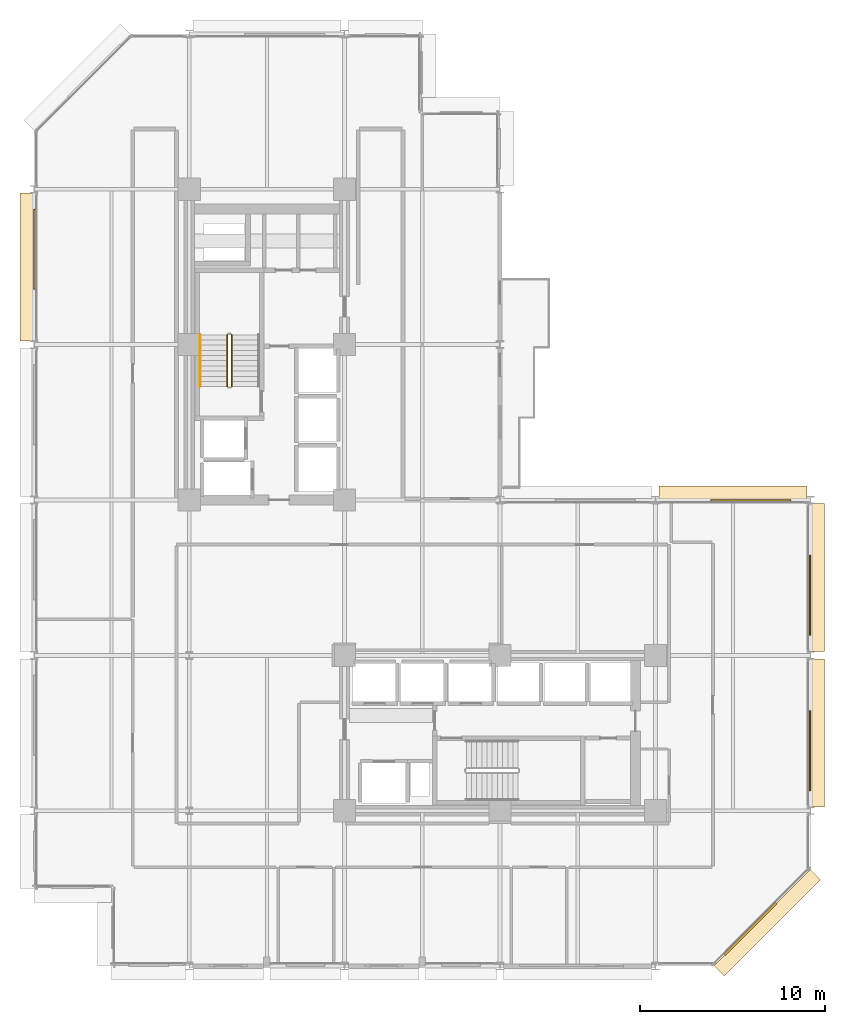
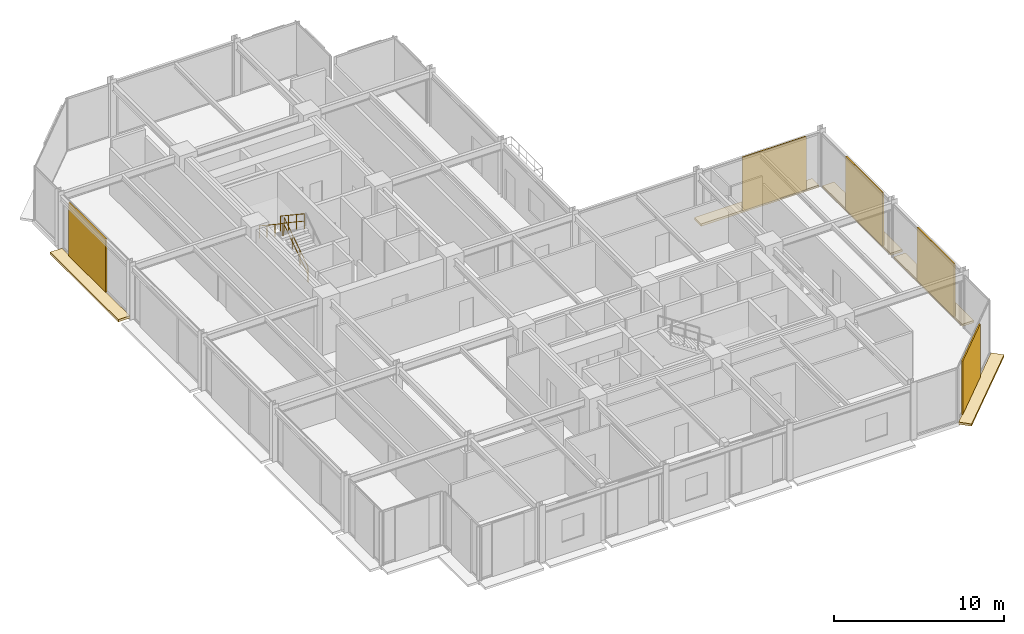
# One storey, part 29 of 30: 10 coverings, 3 railings.
"""IFC4 building model written with IfcOpenShell, lengths in metres."""

from ifc_helpers import new_model, si_unit, direction, frame, origin, origin_2d, place, context, subcontext, project, spatial, polyline, rectangle, circle, outline, extrude, material, layer, layer_set, type_object, element, save


model = new_model("IFC4")

# Units and contexts
model_context = context("Model", 3, precision=1e-05, world=origin(), true_north=direction((0.0, 1.0)))
body_context = subcontext(model_context, "Body", "Model", "MODEL_VIEW")
ifc_project = project(units=[si_unit("LENGTHUNIT", "METRE"), si_unit("AREAUNIT", "SQUARE_METRE"), si_unit("VOLUMEUNIT", "CUBIC_METRE"), si_unit("PLANEANGLEUNIT", "RADIAN"), si_unit("MASSUNIT", "GRAM", prefix="KILO")], contexts=[model_context])

# Site, building, storey
site_placement = place(None, origin())
site = spatial("IfcSite", under=ifc_project, at=site_placement, CompositionType="ELEMENT")
building_placement = place(site_placement, origin())
building = spatial("IfcBuilding", under=site, at=building_placement, Name="Nerrivon Quay Data Exchange", CompositionType="ELEMENT")
storey_placement = place(building_placement, frame((0.0, 0.0, 117.199951171875)))
storey = spatial("IfcBuildingStorey", under=building, at=storey_placement, Name="L27", CompositionType="ELEMENT", Elevation=117.199951171875)

# Coverings
ifc_material_1 = material(Name="Architectural terracotta ceramic", Category="masonry")
ifc_layer_1 = layer(ifc_material_1, 0.159912109375)
ifc_layer_set_1 = layer_set([ifc_layer_1], Name="Architectural terracotta ceramic")
covering_type_1 = type_object("IfcCoveringType", Name="COV-BLD-TERR", PredefinedType="CLADDING", material=ifc_layer_set_1)
covering_1_placement = place(storey_placement, frame((0.0, 0.0, -0.159912109375)))
element("IfcCovering", 1, at=covering_1_placement, inside=storey, type_object=covering_type_1, Name="L27 Horizontal Terracotta SOLAR SCREEN Blade", PredefinedType="CLADDING", context=body_context, shape_type="SweptSolid", body=[
    extrude(outline(polyline([(41.9716796875, 5.228271484375), (36.771728515625, 0.0283203125), (37.330322265625, -0.5302734375), (42.5302734375, 4.669677734375), (41.9716796875, 5.228271484375)])), origin(), (0.0, 0.0, 1.0), 0.159912109375),
])
covering_2_placement = place(storey_placement, frame((0.0, 0.0, -0.159912109375)))
element("IfcCovering", 2, at=covering_2_placement, inside=storey, type_object=covering_type_1, Name="L27 Horizontal Terracotta SOLAR SCREEN Blade", PredefinedType="CLADDING", context=body_context, shape_type="SweptSolid", body=[
    extrude(outline(polyline([(0.0400390625, 33.800048828125), (0.0400390625, 41.800048828125), (-0.75, 41.800048828125), (-0.75, 33.800048828125), (0.0400390625, 33.800048828125)])), origin(), (0.0, 0.0, 1.0), 0.159912109375),
])
covering_3_placement = place(storey_placement, frame((0.0, 0.0, -0.159912109375)))
element("IfcCovering", 3, at=covering_3_placement, inside=storey, type_object=covering_type_1, Name="L27 Horizontal Terracotta SOLAR SCREEN Blade", PredefinedType="CLADDING", context=body_context, shape_type="SweptSolid", body=[
    extrude(outline(polyline([(33.800048828125, 25.159912109375), (41.800048828125, 25.159912109375), (41.800048828125, 25.949951171875), (33.800048828125, 25.949951171875), (33.800048828125, 25.159912109375)])), origin(), (0.0, 0.0, 1.0), 0.159912109375),
])
covering_4_placement = place(storey_placement, frame((0.0, 0.0, -0.159912109375)))
element("IfcCovering", 4, at=covering_4_placement, inside=storey, type_object=covering_type_1, Name="L27 Horizontal Terracotta SOLAR SCREEN Blade", PredefinedType="CLADDING", context=body_context, shape_type="SweptSolid", body=[
    extrude(outline(polyline([(41.9599609375, 25.0), (41.9599609375, 17.0), (42.75, 17.0), (42.75, 25.0), (41.9599609375, 25.0)])), origin(), (0.0, 0.0, 1.0), 0.159912109375),
])
covering_5_placement = place(storey_placement, frame((0.0, 0.0, -0.159912109375)))
element("IfcCovering", 5, at=covering_5_placement, inside=storey, type_object=covering_type_1, Name="L27 Horizontal Terracotta SOLAR SCREEN Blade", PredefinedType="CLADDING", context=body_context, shape_type="SweptSolid", body=[
    extrude(outline(polyline([(41.9599609375, 16.60009765625), (41.9599609375, 8.60009765625), (42.75, 8.60009765625), (42.75, 16.60009765625), (41.9599609375, 16.60009765625)])), origin(), (0.0, 0.0, 1.0), 0.159912109375),
])
ifc_layer_2 = layer(ifc_material_1, 0.090087890625)
ifc_layer_set_2 = layer_set([ifc_layer_2], Name="Architectural terracotta ceramic")
covering_type_2 = type_object("IfcCoveringType", Name="COV-SCR-TERR", PredefinedType="CLADDING", material=ifc_layer_set_2)
covering_6_placement = place(storey_placement, frame((38.744140625, 2.0078125, 0.0), z_axis=(0.0, 0.0, 1.0), x_axis=(-0.707106781187, -0.707106781187, 0.0)))
element("IfcCovering", 6, at=covering_6_placement, inside=storey, type_object=covering_type_2, Name="L27 Perforated Terracotta SOLAR SCREEN Cassette", PredefinedType="CLADDING", context=body_context, shape_type="SweptSolid", body=[
    extrude(rectangle(XDim=3.970947265625, YDim=0.090087890625, at=origin_2d()), origin(), (0.0, 0.0, 1.0), 3.824951171875),
])
for number, where, z_axis, x_axis, name in (
    (7, (0.044921875, 38.760009765625, 0.0), (0.0, 0.0, 1.0), (0.0, 1.0, 0.0), "L27 Perforated Terracotta SOLAR SCREEN Cassette"),
    (8, (38.760009765625, 25.155029296875, 0.0), (0.0, 0.0, 1.0), (1.0, 0.0, 0.0), "L27 Perforated Terracotta SOLAR SCREEN Cassette"),
    (9, (41.955078125, 20.0400390625, 0.0), (0.0, 0.0, 1.0), (0.0, -1.0, 0.0), "L27 Perforated Terracotta SOLAR SCREEN Cassette"),
    (10, (41.955078125, 11.639892578125, 0.0), (0.0, 0.0, 1.0), (0.0, -1.0, 0.0), "L27 Perforated Terracotta SOLAR SCREEN Cassette"),
):
    element("IfcCovering", number, at=place(storey_placement, frame(where, z_axis=z_axis, x_axis=x_axis)), inside=storey, type_object=covering_type_2, Name=name, PredefinedType="CLADDING", context=body_context, shape_type="SweptSolid", body=[
        extrude(rectangle(XDim=4.320068359375, YDim=0.090087890625, at=origin_2d()), origin(), (0.0, 0.0, 1.0), 3.824951171875),
    ])

# Railings
ifc_material_2 = material(Name="Steel Grade C350L0 (350 MPa)", Category="steel")
railing_type_1 = type_object("IfcRailingType", Name="RAIL-HAND-HR1", PredefinedType="HANDRAIL", material=ifc_material_2)
railing_1_placement = place(storey_placement, frame((9.0, 34.1298828125, 2.236328125)))
element("IfcRailing", 11, at=railing_1_placement, inside=storey, type_object=railing_type_1, Name="L27 ST01 stair handrail 2", PredefinedType="HANDRAIL", context=body_context, shape_type="SweptSolid", body=[
    extrude(circle(Radius=0.02392578125, at=origin_2d()), frame((0.0, 0.0, 0.8759765625), z_axis=(0.0, -0.832429786209, 0.554130536094), x_axis=(1.0, 0.0, 0.0)), (0.0, 0.0, 1.0), 3.363525390625),
    extrude(circle(Radius=0.02099609375, at=origin_2d()), origin(), (0.0, 0.0, 1.0), 0.851806640625),
    extrude(circle(Radius=0.02099609375, at=origin_2d()), frame((0.0, -0.933349609375, 0.621337890625)), (0.0, 0.0, 1.0), 0.851806640625),
    extrude(circle(Radius=0.02099609375, at=origin_2d()), frame((0.0, -1.866455078125, 1.242431640625)), (0.0, 0.0, 1.0), 0.851806640625),
    extrude(circle(Radius=0.02099609375, at=origin_2d()), frame((0.0, -2.7998046875, 1.86376953125)), (0.0, 0.0, 1.0), 0.851806640625),
])
railing_type_2 = type_object("IfcRailingType", Name="RAIL-STAIR-GR1", PredefinedType="BALUSTRADE", material=ifc_material_2)
railing_2_placement = place(storey_placement, frame((10.699951171875, 31.330078125, 0.1865234375)))
element("IfcRailing", 12, at=railing_2_placement, inside=storey, type_object=railing_type_2, Name="L27 ST01 stair guard 1", PredefinedType="BALUSTRADE", context=body_context, shape_type="SweptSolid", body=[
    extrude(circle(Radius=0.02392578125, at=origin_2d()), frame((0.0, 0.0, 1.076171875), z_axis=(0.0, 0.832463268671, 0.554080234545), x_axis=(-1.0, 0.0, 0.0)), (0.0, 0.0, 1.0), 3.36328125),
    extrude(circle(Radius=0.02392578125, at=origin_2d()), frame((0.0, 0.0, 0.550048828125), z_axis=(0.0, 0.832463268671, 0.554080234545), x_axis=(-1.0, 0.0, 0.0)), (0.0, 0.0, 1.0), 3.36328125),
    extrude(circle(Radius=0.02099609375, at=origin_2d()), origin(), (0.0, 0.0, 1.0), 1.052001953125),
    extrude(circle(Radius=0.02099609375, at=origin_2d()), frame((0.0, 0.933349609375, 0.62109375)), (0.0, 0.0, 1.0), 1.052001953125),
    extrude(circle(Radius=0.02099609375, at=origin_2d()), frame((0.0, 1.866455078125, 1.242431640625)), (0.0, 0.0, 1.0), 1.052001953125),
    extrude(circle(Radius=0.02099609375, at=origin_2d()), frame((0.0, 2.7998046875, 1.863525390625)), (0.0, 0.0, 1.0), 1.052001953125),
])
railing_3_placement = place(storey_placement, frame((10.449951171875, 34.1298828125, 2.236328125)))
element("IfcRailing", 13, at=railing_3_placement, inside=storey, type_object=railing_type_2, Name="L27 ST01 stair guard 3", PredefinedType="BALUSTRADE", context=body_context, shape_type="SweptSolid", body=[
    extrude(circle(Radius=0.02392578125, at=origin_2d()), frame((0.0, 0.0, 1.076171875), z_axis=(0.0, -0.832429786209, 0.554130536094), x_axis=(1.0, 0.0, 0.0)), (0.0, 0.0, 1.0), 3.363525390625),
    extrude(circle(Radius=0.02392578125, at=origin_2d()), frame((0.0, 0.0, 0.550048828125), z_axis=(0.0, -0.832429786209, 0.554130536094), x_axis=(1.0, 0.0, 0.0)), (0.0, 0.0, 1.0), 3.363525390625),
    extrude(circle(Radius=0.02099609375, at=origin_2d()), origin(), (0.0, 0.0, 1.0), 1.052001953125),
    extrude(circle(Radius=0.02099609375, at=origin_2d()), frame((0.0, -0.933349609375, 0.621337890625)), (0.0, 0.0, 1.0), 1.052001953125),
    extrude(circle(Radius=0.02099609375, at=origin_2d()), frame((0.0, -1.866455078125, 1.242431640625)), (0.0, 0.0, 1.0), 1.052001953125),
    extrude(circle(Radius=0.02099609375, at=origin_2d()), frame((0.0, -2.7998046875, 1.86376953125)), (0.0, 0.0, 1.0), 1.052001953125),
])

save(model, "model.ifc")
